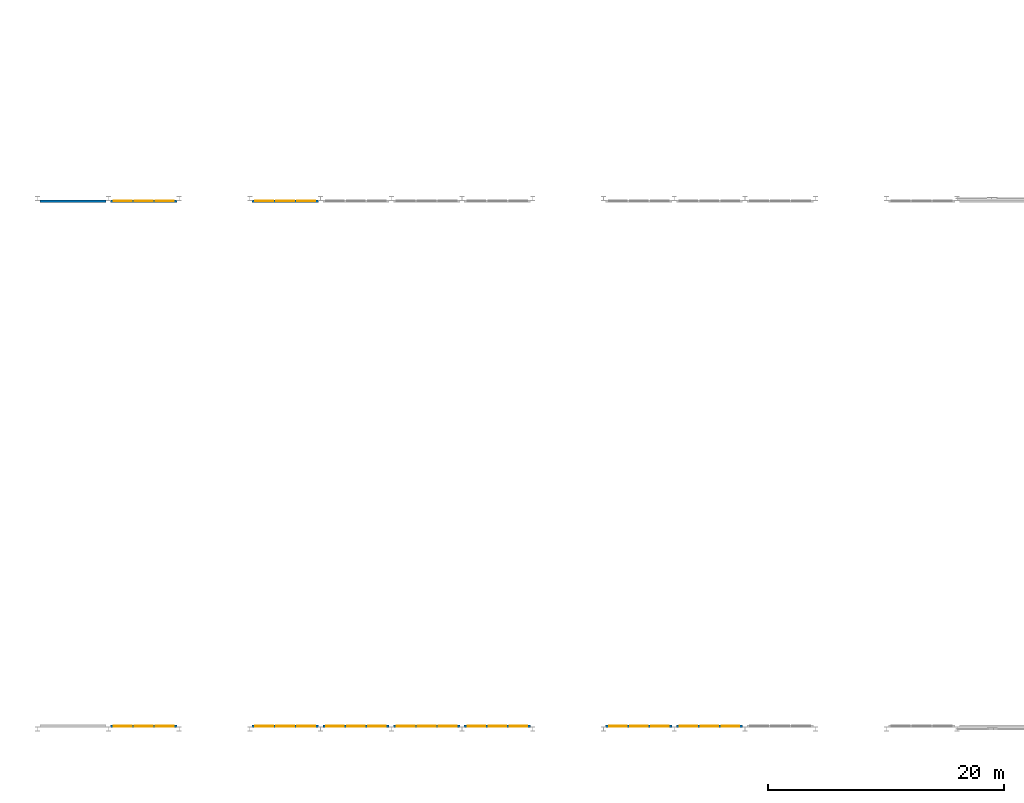
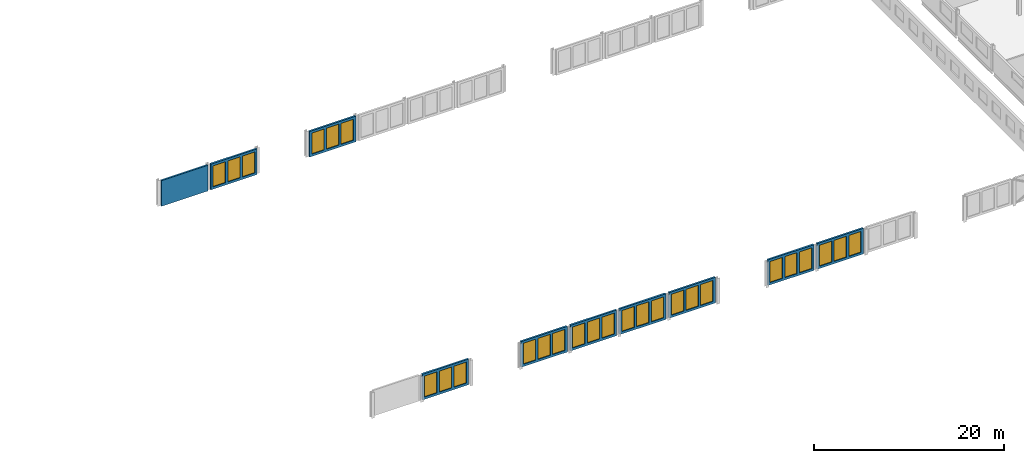
# One storey, part 50 of 199: 27 windows, 10 walls, 27 openings.
"""IFC4 building model written with IfcOpenShell, lengths in metres."""

from ifc_helpers import new_model, si_unit, direction, frame, frame_2d, origin, place, context, subcontext, project, spatial, rectangle, extrude, material, layer, layer_set, type_object, element, fill, save


model = new_model("IFC4")

# Units and contexts
model_context = context("Model", 3, precision=1e-05, world=origin(), true_north=direction((0.0, 1.0)))
body_context = subcontext(model_context, "Body", "Model", "MODEL_VIEW")
ifc_project = project(units=[si_unit("LENGTHUNIT", "METRE"), si_unit("AREAUNIT", "SQUARE_METRE"), si_unit("VOLUMEUNIT", "CUBIC_METRE"), si_unit("PLANEANGLEUNIT", "RADIAN"), si_unit("MASSUNIT", "GRAM", prefix="KILO")], contexts=[model_context])

# Site, building, storey
site_placement = place(None, origin())
site = spatial("IfcSite", under=ifc_project, at=site_placement, CompositionType="ELEMENT")
building_placement = place(site_placement, origin())
building = spatial("IfcBuilding", under=site, at=building_placement, Name="Parallax Yard Mobility Hub", CompositionType="ELEMENT")
storey_placement = place(building_placement, frame((0.0, 0.0, 9.89990234375)))
storey = spatial("IfcBuildingStorey", under=building, at=storey_placement, Name="L03", CompositionType="ELEMENT", Elevation=9.89990234375)

# Wall, openings, windows
ifc_material_1 = material(Name="Concrete fc' 35 MPa", Category="concrete")
ifc_layer = layer(ifc_material_1, 0.219970703125)
ifc_layer_set = layer_set([ifc_layer], Name="Gable panel, Concrete fc' 35 MPa precast, 220")
wall_type = type_object("IfcWallType", Name="Gable panel, Concrete fc' 35 MPa precast, 220", PredefinedType="SOLIDWALL", material=ifc_layer_set)
wall_1_placement = place(storey_placement, frame((15.1865234375, 7.72412109375, 0.0), z_axis=(0.0, 0.0, 1.0), x_axis=(1.0, 0.0, 0.0)))
wall_1 = element("IfcWall", 1, at=wall_1_placement, inside=storey, type_object=wall_type, Name="Bus and taxi deck south gable wall bay 2 level L03", PredefinedType="SOLIDWALL", context=body_context, shape_type="SweptSolid", body=[
    extrude(rectangle(XDim=5.626953125, YDim=0.219970703125, at=frame_2d((2.8134765625, 0.0))), origin(), (0.0, 0.0, 1.0), 3.300048828125),
])
opening_1_placement = place(wall_1_placement, frame((0.28173828125, 0.0, 0.300048828125)))
opening_1 = element("IfcOpeningElement", 2, at=opening_1_placement, cuts=wall_1, Name="Opening LV8", PredefinedType="OPENING", context=body_context, shape_type="SweptSolid", body=[
    extrude(rectangle(XDim=1.5, YDim=2.699951171875, at=frame_2d((0.75, 1.35009765625))), frame((0.0, 0.1201171875, 0.0), z_axis=(0.0, -1.0, 0.0), x_axis=(1.0, 0.0, 0.0)), (0.0, 0.0, 1.0), 0.239990234375),
])
opening_2_placement = place(wall_1_placement, frame((2.0634765625, 0.0, 0.300048828125)))
opening_2 = element("IfcOpeningElement", 3, at=opening_2_placement, cuts=wall_1, Name="Opening LV8", PredefinedType="OPENING", context=body_context, shape_type="SweptSolid", body=[
    extrude(rectangle(XDim=1.5, YDim=2.699951171875, at=frame_2d((0.75, 1.35009765625))), frame((0.0, 0.1201171875, 0.0), z_axis=(0.0, -1.0, 0.0), x_axis=(1.0, 0.0, 0.0)), (0.0, 0.0, 1.0), 0.239990234375),
])
opening_3_placement = place(wall_1_placement, frame((3.84521484375, 0.0, 0.300048828125)))
opening_3 = element("IfcOpeningElement", 4, at=opening_3_placement, cuts=wall_1, Name="Opening LV8", PredefinedType="OPENING", context=body_context, shape_type="SweptSolid", body=[
    extrude(rectangle(XDim=1.5, YDim=2.699951171875, at=frame_2d((0.75, 1.35009765625))), frame((0.0, 0.1201171875, 0.0), z_axis=(0.0, -1.0, 0.0), x_axis=(1.0, 0.0, 0.0)), (0.0, 0.0, 1.0), 0.239990234375),
])
ifc_material_2 = material(Name="Extruded aluminium storm louvre blades in a powder-coated frame", Category="aluminium")
window_type = type_object("IfcWindowType", Name="Storm louvre 1500 x 2700", PartitioningType="SINGLE_PANEL", PredefinedType="WINDOW", material=ifc_material_2)
window_1_placement = place(opening_1_placement, origin())
window_1 = element("IfcWindow", 5, at=window_1_placement, inside=storey, type_object=window_type, Name="LV8 louvre level L03", OverallHeight=2.699951171875, OverallWidth=1.5, PartitioningType="SINGLE_PANEL", PredefinedType="WINDOW", context=body_context, shape_type="SweptSolid", body=[
    extrude(rectangle(XDim=1.5, YDim=2.699951171875, at=frame_2d((0.75, 1.35009765625))), frame((0.0, 0.030029296875, 0.0), z_axis=(0.0, -1.0, 0.0), x_axis=(1.0, 0.0, 0.0)), (0.0, 0.0, 1.0), 0.06005859375),
])
fill(opening_1, window_1)
window_2_placement = place(opening_2_placement, origin())
window_2 = element("IfcWindow", 6, at=window_2_placement, inside=storey, type_object=window_type, Name="LV8 louvre level L03", OverallHeight=2.699951171875, OverallWidth=1.5, PartitioningType="SINGLE_PANEL", PredefinedType="WINDOW", context=body_context, shape_type="SweptSolid", body=[
    extrude(rectangle(XDim=1.5, YDim=2.699951171875, at=frame_2d((0.75, 1.35009765625))), frame((0.0, 0.030029296875, 0.0), z_axis=(0.0, -1.0, 0.0), x_axis=(1.0, 0.0, 0.0)), (0.0, 0.0, 1.0), 0.06005859375),
])
fill(opening_2, window_2)
window_3_placement = place(opening_3_placement, origin())
window_3 = element("IfcWindow", 7, at=window_3_placement, inside=storey, type_object=window_type, Name="LV8 louvre level L03", OverallHeight=2.699951171875, OverallWidth=1.5, PartitioningType="SINGLE_PANEL", PredefinedType="WINDOW", context=body_context, shape_type="SweptSolid", body=[
    extrude(rectangle(XDim=1.5, YDim=2.699951171875, at=frame_2d((0.75, 1.35009765625))), frame((0.0, 0.030029296875, 0.0), z_axis=(0.0, -1.0, 0.0), x_axis=(1.0, 0.0, 0.0)), (0.0, 0.0, 1.0), 0.06005859375),
])
fill(opening_3, window_3)

wall_2_placement = place(storey_placement, frame((27.1865234375, 7.72412109375, 0.0), z_axis=(0.0, 0.0, 1.0), x_axis=(1.0, 0.0, 0.0)))
wall_2 = element("IfcWall", 8, at=wall_2_placement, inside=storey, type_object=wall_type, Name="Bus and taxi deck south gable wall bay 3 level L03", PredefinedType="SOLIDWALL", context=body_context, shape_type="SweptSolid", body=[
    extrude(rectangle(XDim=5.626953125, YDim=0.219970703125, at=frame_2d((2.8134765625, 0.0))), origin(), (0.0, 0.0, 1.0), 3.300048828125),
])
opening_4_placement = place(wall_2_placement, frame((0.28173828125, 0.0, 0.300048828125)))
opening_4 = element("IfcOpeningElement", 9, at=opening_4_placement, cuts=wall_2, Name="Opening LV8", PredefinedType="OPENING", context=body_context, shape_type="SweptSolid", body=[
    extrude(rectangle(XDim=1.5, YDim=2.699951171875, at=frame_2d((0.75, 1.35009765625))), frame((0.0, 0.1201171875, 0.0), z_axis=(0.0, -1.0, 0.0), x_axis=(1.0, 0.0, 0.0)), (0.0, 0.0, 1.0), 0.239990234375),
])
opening_5_placement = place(wall_2_placement, frame((2.0634765625, 0.0, 0.300048828125)))
opening_5 = element("IfcOpeningElement", 10, at=opening_5_placement, cuts=wall_2, Name="Opening LV8", PredefinedType="OPENING", context=body_context, shape_type="SweptSolid", body=[
    extrude(rectangle(XDim=1.5, YDim=2.699951171875, at=frame_2d((0.75, 1.35009765625))), frame((0.0, 0.1201171875, 0.0), z_axis=(0.0, -1.0, 0.0), x_axis=(1.0, 0.0, 0.0)), (0.0, 0.0, 1.0), 0.239990234375),
])
opening_6_placement = place(wall_2_placement, frame((3.84521484375, 0.0, 0.300048828125)))
opening_6 = element("IfcOpeningElement", 11, at=opening_6_placement, cuts=wall_2, Name="Opening LV8", PredefinedType="OPENING", context=body_context, shape_type="SweptSolid", body=[
    extrude(rectangle(XDim=1.5, YDim=2.699951171875, at=frame_2d((0.75, 1.35009765625))), frame((0.0, 0.1201171875, 0.0), z_axis=(0.0, -1.0, 0.0), x_axis=(1.0, 0.0, 0.0)), (0.0, 0.0, 1.0), 0.239990234375),
])
window_4_placement = place(opening_4_placement, origin())
window_4 = element("IfcWindow", 12, at=window_4_placement, inside=storey, type_object=window_type, Name="LV8 louvre level L03", OverallHeight=2.699951171875, OverallWidth=1.5, PartitioningType="SINGLE_PANEL", PredefinedType="WINDOW", context=body_context, shape_type="SweptSolid", body=[
    extrude(rectangle(XDim=1.5, YDim=2.699951171875, at=frame_2d((0.75, 1.35009765625))), frame((0.0, 0.030029296875, 0.0), z_axis=(0.0, -1.0, 0.0), x_axis=(1.0, 0.0, 0.0)), (0.0, 0.0, 1.0), 0.06005859375),
])
fill(opening_4, window_4)
window_5_placement = place(opening_5_placement, origin())
window_5 = element("IfcWindow", 13, at=window_5_placement, inside=storey, type_object=window_type, Name="LV8 louvre level L03", OverallHeight=2.699951171875, OverallWidth=1.5, PartitioningType="SINGLE_PANEL", PredefinedType="WINDOW", context=body_context, shape_type="SweptSolid", body=[
    extrude(rectangle(XDim=1.5, YDim=2.699951171875, at=frame_2d((0.75, 1.35009765625))), frame((0.0, 0.030029296875, 0.0), z_axis=(0.0, -1.0, 0.0), x_axis=(1.0, 0.0, 0.0)), (0.0, 0.0, 1.0), 0.06005859375),
])
fill(opening_5, window_5)
window_6_placement = place(opening_6_placement, origin())
window_6 = element("IfcWindow", 14, at=window_6_placement, inside=storey, type_object=window_type, Name="LV8 louvre level L03", OverallHeight=2.699951171875, OverallWidth=1.5, PartitioningType="SINGLE_PANEL", PredefinedType="WINDOW", context=body_context, shape_type="SweptSolid", body=[
    extrude(rectangle(XDim=1.5, YDim=2.699951171875, at=frame_2d((0.75, 1.35009765625))), frame((0.0, 0.030029296875, 0.0), z_axis=(0.0, -1.0, 0.0), x_axis=(1.0, 0.0, 0.0)), (0.0, 0.0, 1.0), 0.06005859375),
])
fill(opening_6, window_6)

wall_3_placement = place(storey_placement, frame((33.1865234375, 7.72412109375, 0.0), z_axis=(0.0, 0.0, 1.0), x_axis=(1.0, 0.0, 0.0)))
wall_3 = element("IfcWall", 15, at=wall_3_placement, inside=storey, type_object=wall_type, Name="Bus and taxi deck south gable wall bay 4 level L03", PredefinedType="SOLIDWALL", context=body_context, shape_type="SweptSolid", body=[
    extrude(rectangle(XDim=5.626953125, YDim=0.219970703125, at=frame_2d((2.8134765625, 0.0))), origin(), (0.0, 0.0, 1.0), 3.300048828125),
])
opening_7_placement = place(wall_3_placement, frame((0.28173828125, 0.0, 0.300048828125)))
opening_7 = element("IfcOpeningElement", 16, at=opening_7_placement, cuts=wall_3, Name="Opening LV8", PredefinedType="OPENING", context=body_context, shape_type="SweptSolid", body=[
    extrude(rectangle(XDim=1.5, YDim=2.699951171875, at=frame_2d((0.75, 1.35009765625))), frame((0.0, 0.1201171875, 0.0), z_axis=(0.0, -1.0, 0.0), x_axis=(1.0, 0.0, 0.0)), (0.0, 0.0, 1.0), 0.239990234375),
])
opening_8_placement = place(wall_3_placement, frame((2.0634765625, 0.0, 0.300048828125)))
opening_8 = element("IfcOpeningElement", 17, at=opening_8_placement, cuts=wall_3, Name="Opening LV8", PredefinedType="OPENING", context=body_context, shape_type="SweptSolid", body=[
    extrude(rectangle(XDim=1.5, YDim=2.699951171875, at=frame_2d((0.75, 1.35009765625))), frame((0.0, 0.1201171875, 0.0), z_axis=(0.0, -1.0, 0.0), x_axis=(1.0, 0.0, 0.0)), (0.0, 0.0, 1.0), 0.239990234375),
])
opening_9_placement = place(wall_3_placement, frame((3.84521484375, 0.0, 0.300048828125)))
opening_9 = element("IfcOpeningElement", 18, at=opening_9_placement, cuts=wall_3, Name="Opening LV8", PredefinedType="OPENING", context=body_context, shape_type="SweptSolid", body=[
    extrude(rectangle(XDim=1.5, YDim=2.699951171875, at=frame_2d((0.75, 1.35009765625))), frame((0.0, 0.1201171875, 0.0), z_axis=(0.0, -1.0, 0.0), x_axis=(1.0, 0.0, 0.0)), (0.0, 0.0, 1.0), 0.239990234375),
])
window_7_placement = place(opening_7_placement, origin())
window_7 = element("IfcWindow", 19, at=window_7_placement, inside=storey, type_object=window_type, Name="LV8 louvre level L03", OverallHeight=2.699951171875, OverallWidth=1.5, PartitioningType="SINGLE_PANEL", PredefinedType="WINDOW", context=body_context, shape_type="SweptSolid", body=[
    extrude(rectangle(XDim=1.5, YDim=2.699951171875, at=frame_2d((0.75, 1.35009765625))), frame((0.0, 0.030029296875, 0.0), z_axis=(0.0, -1.0, 0.0), x_axis=(1.0, 0.0, 0.0)), (0.0, 0.0, 1.0), 0.06005859375),
])
fill(opening_7, window_7)
window_8_placement = place(opening_8_placement, origin())
window_8 = element("IfcWindow", 20, at=window_8_placement, inside=storey, type_object=window_type, Name="LV8 louvre level L03", OverallHeight=2.699951171875, OverallWidth=1.5, PartitioningType="SINGLE_PANEL", PredefinedType="WINDOW", context=body_context, shape_type="SweptSolid", body=[
    extrude(rectangle(XDim=1.5, YDim=2.699951171875, at=frame_2d((0.75, 1.35009765625))), frame((0.0, 0.030029296875, 0.0), z_axis=(0.0, -1.0, 0.0), x_axis=(1.0, 0.0, 0.0)), (0.0, 0.0, 1.0), 0.06005859375),
])
fill(opening_8, window_8)
window_9_placement = place(opening_9_placement, origin())
window_9 = element("IfcWindow", 21, at=window_9_placement, inside=storey, type_object=window_type, Name="LV8 louvre level L03", OverallHeight=2.699951171875, OverallWidth=1.5, PartitioningType="SINGLE_PANEL", PredefinedType="WINDOW", context=body_context, shape_type="SweptSolid", body=[
    extrude(rectangle(XDim=1.5, YDim=2.699951171875, at=frame_2d((0.75, 1.35009765625))), frame((0.0, 0.030029296875, 0.0), z_axis=(0.0, -1.0, 0.0), x_axis=(1.0, 0.0, 0.0)), (0.0, 0.0, 1.0), 0.06005859375),
])
fill(opening_9, window_9)

wall_4_placement = place(storey_placement, frame((39.1865234375, 7.72412109375, 0.0), z_axis=(0.0, 0.0, 1.0), x_axis=(1.0, 0.0, 0.0)))
wall_4 = element("IfcWall", 22, at=wall_4_placement, inside=storey, type_object=wall_type, Name="Bus and taxi deck south gable wall bay 5 level L03", PredefinedType="SOLIDWALL", context=body_context, shape_type="SweptSolid", body=[
    extrude(rectangle(XDim=5.626953125, YDim=0.219970703125, at=frame_2d((2.8134765625, 0.0))), origin(), (0.0, 0.0, 1.0), 3.300048828125),
])
opening_10_placement = place(wall_4_placement, frame((0.28173828125, 0.0, 0.300048828125)))
opening_10 = element("IfcOpeningElement", 23, at=opening_10_placement, cuts=wall_4, Name="Opening LV8", PredefinedType="OPENING", context=body_context, shape_type="SweptSolid", body=[
    extrude(rectangle(XDim=1.5, YDim=2.699951171875, at=frame_2d((0.75, 1.35009765625))), frame((0.0, 0.1201171875, 0.0), z_axis=(0.0, -1.0, 0.0), x_axis=(1.0, 0.0, 0.0)), (0.0, 0.0, 1.0), 0.239990234375),
])
opening_11_placement = place(wall_4_placement, frame((2.0634765625, 0.0, 0.300048828125)))
opening_11 = element("IfcOpeningElement", 24, at=opening_11_placement, cuts=wall_4, Name="Opening LV8", PredefinedType="OPENING", context=body_context, shape_type="SweptSolid", body=[
    extrude(rectangle(XDim=1.5, YDim=2.699951171875, at=frame_2d((0.75, 1.35009765625))), frame((0.0, 0.1201171875, 0.0), z_axis=(0.0, -1.0, 0.0), x_axis=(1.0, 0.0, 0.0)), (0.0, 0.0, 1.0), 0.239990234375),
])
opening_12_placement = place(wall_4_placement, frame((3.84521484375, 0.0, 0.300048828125)))
opening_12 = element("IfcOpeningElement", 25, at=opening_12_placement, cuts=wall_4, Name="Opening LV8", PredefinedType="OPENING", context=body_context, shape_type="SweptSolid", body=[
    extrude(rectangle(XDim=1.5, YDim=2.699951171875, at=frame_2d((0.75, 1.35009765625))), frame((0.0, 0.1201171875, 0.0), z_axis=(0.0, -1.0, 0.0), x_axis=(1.0, 0.0, 0.0)), (0.0, 0.0, 1.0), 0.239990234375),
])
window_10_placement = place(opening_10_placement, origin())
window_10 = element("IfcWindow", 26, at=window_10_placement, inside=storey, type_object=window_type, Name="LV8 louvre level L03", OverallHeight=2.699951171875, OverallWidth=1.5, PartitioningType="SINGLE_PANEL", PredefinedType="WINDOW", context=body_context, shape_type="SweptSolid", body=[
    extrude(rectangle(XDim=1.5, YDim=2.699951171875, at=frame_2d((0.75, 1.35009765625))), frame((0.0, 0.030029296875, 0.0), z_axis=(0.0, -1.0, 0.0), x_axis=(1.0, 0.0, 0.0)), (0.0, 0.0, 1.0), 0.06005859375),
])
fill(opening_10, window_10)
window_11_placement = place(opening_11_placement, origin())
window_11 = element("IfcWindow", 27, at=window_11_placement, inside=storey, type_object=window_type, Name="LV8 louvre level L03", OverallHeight=2.699951171875, OverallWidth=1.5, PartitioningType="SINGLE_PANEL", PredefinedType="WINDOW", context=body_context, shape_type="SweptSolid", body=[
    extrude(rectangle(XDim=1.5, YDim=2.699951171875, at=frame_2d((0.75, 1.35009765625))), frame((0.0, 0.030029296875, 0.0), z_axis=(0.0, -1.0, 0.0), x_axis=(1.0, 0.0, 0.0)), (0.0, 0.0, 1.0), 0.06005859375),
])
fill(opening_11, window_11)
window_12_placement = place(opening_12_placement, origin())
window_12 = element("IfcWindow", 28, at=window_12_placement, inside=storey, type_object=window_type, Name="LV8 louvre level L03", OverallHeight=2.699951171875, OverallWidth=1.5, PartitioningType="SINGLE_PANEL", PredefinedType="WINDOW", context=body_context, shape_type="SweptSolid", body=[
    extrude(rectangle(XDim=1.5, YDim=2.699951171875, at=frame_2d((0.75, 1.35009765625))), frame((0.0, 0.030029296875, 0.0), z_axis=(0.0, -1.0, 0.0), x_axis=(1.0, 0.0, 0.0)), (0.0, 0.0, 1.0), 0.06005859375),
])
fill(opening_12, window_12)

wall_5_placement = place(storey_placement, frame((45.1865234375, 7.72412109375, 0.0), z_axis=(0.0, 0.0, 1.0), x_axis=(1.0, 0.0, 0.0)))
wall_5 = element("IfcWall", 29, at=wall_5_placement, inside=storey, type_object=wall_type, Name="Bus and taxi deck south gable wall bay 6 level L03", PredefinedType="SOLIDWALL", context=body_context, shape_type="SweptSolid", body=[
    extrude(rectangle(XDim=5.626953125, YDim=0.219970703125, at=frame_2d((2.8134765625, 0.0))), origin(), (0.0, 0.0, 1.0), 3.300048828125),
])
opening_13_placement = place(wall_5_placement, frame((0.28173828125, 0.0, 0.300048828125)))
opening_13 = element("IfcOpeningElement", 30, at=opening_13_placement, cuts=wall_5, Name="Opening LV8", PredefinedType="OPENING", context=body_context, shape_type="SweptSolid", body=[
    extrude(rectangle(XDim=1.5, YDim=2.699951171875, at=frame_2d((0.75, 1.35009765625))), frame((0.0, 0.1201171875, 0.0), z_axis=(0.0, -1.0, 0.0), x_axis=(1.0, 0.0, 0.0)), (0.0, 0.0, 1.0), 0.239990234375),
])
opening_14_placement = place(wall_5_placement, frame((2.0634765625, 0.0, 0.300048828125)))
opening_14 = element("IfcOpeningElement", 31, at=opening_14_placement, cuts=wall_5, Name="Opening LV8", PredefinedType="OPENING", context=body_context, shape_type="SweptSolid", body=[
    extrude(rectangle(XDim=1.5, YDim=2.699951171875, at=frame_2d((0.75, 1.35009765625))), frame((0.0, 0.1201171875, 0.0), z_axis=(0.0, -1.0, 0.0), x_axis=(1.0, 0.0, 0.0)), (0.0, 0.0, 1.0), 0.239990234375),
])
opening_15_placement = place(wall_5_placement, frame((3.84521484375, 0.0, 0.300048828125)))
opening_15 = element("IfcOpeningElement", 32, at=opening_15_placement, cuts=wall_5, Name="Opening LV8", PredefinedType="OPENING", context=body_context, shape_type="SweptSolid", body=[
    extrude(rectangle(XDim=1.5, YDim=2.699951171875, at=frame_2d((0.75, 1.35009765625))), frame((0.0, 0.1201171875, 0.0), z_axis=(0.0, -1.0, 0.0), x_axis=(1.0, 0.0, 0.0)), (0.0, 0.0, 1.0), 0.239990234375),
])
window_13_placement = place(opening_13_placement, origin())
window_13 = element("IfcWindow", 33, at=window_13_placement, inside=storey, type_object=window_type, Name="LV8 louvre level L03", OverallHeight=2.699951171875, OverallWidth=1.5, PartitioningType="SINGLE_PANEL", PredefinedType="WINDOW", context=body_context, shape_type="SweptSolid", body=[
    extrude(rectangle(XDim=1.5, YDim=2.699951171875, at=frame_2d((0.75, 1.35009765625))), frame((0.0, 0.030029296875, 0.0), z_axis=(0.0, -1.0, 0.0), x_axis=(1.0, 0.0, 0.0)), (0.0, 0.0, 1.0), 0.06005859375),
])
fill(opening_13, window_13)
window_14_placement = place(opening_14_placement, origin())
window_14 = element("IfcWindow", 34, at=window_14_placement, inside=storey, type_object=window_type, Name="LV8 louvre level L03", OverallHeight=2.699951171875, OverallWidth=1.5, PartitioningType="SINGLE_PANEL", PredefinedType="WINDOW", context=body_context, shape_type="SweptSolid", body=[
    extrude(rectangle(XDim=1.5, YDim=2.699951171875, at=frame_2d((0.75, 1.35009765625))), frame((0.0, 0.030029296875, 0.0), z_axis=(0.0, -1.0, 0.0), x_axis=(1.0, 0.0, 0.0)), (0.0, 0.0, 1.0), 0.06005859375),
])
fill(opening_14, window_14)
window_15_placement = place(opening_15_placement, origin())
window_15 = element("IfcWindow", 35, at=window_15_placement, inside=storey, type_object=window_type, Name="LV8 louvre level L03", OverallHeight=2.699951171875, OverallWidth=1.5, PartitioningType="SINGLE_PANEL", PredefinedType="WINDOW", context=body_context, shape_type="SweptSolid", body=[
    extrude(rectangle(XDim=1.5, YDim=2.699951171875, at=frame_2d((0.75, 1.35009765625))), frame((0.0, 0.030029296875, 0.0), z_axis=(0.0, -1.0, 0.0), x_axis=(1.0, 0.0, 0.0)), (0.0, 0.0, 1.0), 0.06005859375),
])
fill(opening_15, window_15)

wall_6_placement = place(storey_placement, frame((57.1865234375, 7.72412109375, 0.0), z_axis=(0.0, 0.0, 1.0), x_axis=(1.0, 0.0, 0.0)))
wall_6 = element("IfcWall", 36, at=wall_6_placement, inside=storey, type_object=wall_type, Name="Bus and taxi deck south gable wall bay 7 level L03", PredefinedType="SOLIDWALL", context=body_context, shape_type="SweptSolid", body=[
    extrude(rectangle(XDim=5.626953125, YDim=0.219970703125, at=frame_2d((2.8134765625, 0.0))), origin(), (0.0, 0.0, 1.0), 3.300048828125),
])
opening_16_placement = place(wall_6_placement, frame((0.28173828125, 0.0, 0.300048828125)))
opening_16 = element("IfcOpeningElement", 37, at=opening_16_placement, cuts=wall_6, Name="Opening LV8", PredefinedType="OPENING", context=body_context, shape_type="SweptSolid", body=[
    extrude(rectangle(XDim=1.5, YDim=2.699951171875, at=frame_2d((0.75, 1.35009765625))), frame((0.0, 0.1201171875, 0.0), z_axis=(0.0, -1.0, 0.0), x_axis=(1.0, 0.0, 0.0)), (0.0, 0.0, 1.0), 0.239990234375),
])
opening_17_placement = place(wall_6_placement, frame((2.0634765625, 0.0, 0.300048828125)))
opening_17 = element("IfcOpeningElement", 38, at=opening_17_placement, cuts=wall_6, Name="Opening LV8", PredefinedType="OPENING", context=body_context, shape_type="SweptSolid", body=[
    extrude(rectangle(XDim=1.5, YDim=2.699951171875, at=frame_2d((0.75, 1.35009765625))), frame((0.0, 0.1201171875, 0.0), z_axis=(0.0, -1.0, 0.0), x_axis=(1.0, 0.0, 0.0)), (0.0, 0.0, 1.0), 0.239990234375),
])
opening_18_placement = place(wall_6_placement, frame((3.84521484375, 0.0, 0.300048828125)))
opening_18 = element("IfcOpeningElement", 39, at=opening_18_placement, cuts=wall_6, Name="Opening LV8", PredefinedType="OPENING", context=body_context, shape_type="SweptSolid", body=[
    extrude(rectangle(XDim=1.5, YDim=2.699951171875, at=frame_2d((0.75, 1.35009765625))), frame((0.0, 0.1201171875, 0.0), z_axis=(0.0, -1.0, 0.0), x_axis=(1.0, 0.0, 0.0)), (0.0, 0.0, 1.0), 0.239990234375),
])
window_16_placement = place(opening_16_placement, origin())
window_16 = element("IfcWindow", 40, at=window_16_placement, inside=storey, type_object=window_type, Name="LV8 louvre level L03", OverallHeight=2.699951171875, OverallWidth=1.5, PartitioningType="SINGLE_PANEL", PredefinedType="WINDOW", context=body_context, shape_type="SweptSolid", body=[
    extrude(rectangle(XDim=1.5, YDim=2.699951171875, at=frame_2d((0.75, 1.35009765625))), frame((0.0, 0.030029296875, 0.0), z_axis=(0.0, -1.0, 0.0), x_axis=(1.0, 0.0, 0.0)), (0.0, 0.0, 1.0), 0.06005859375),
])
fill(opening_16, window_16)
window_17_placement = place(opening_17_placement, origin())
window_17 = element("IfcWindow", 41, at=window_17_placement, inside=storey, type_object=window_type, Name="LV8 louvre level L03", OverallHeight=2.699951171875, OverallWidth=1.5, PartitioningType="SINGLE_PANEL", PredefinedType="WINDOW", context=body_context, shape_type="SweptSolid", body=[
    extrude(rectangle(XDim=1.5, YDim=2.699951171875, at=frame_2d((0.75, 1.35009765625))), frame((0.0, 0.030029296875, 0.0), z_axis=(0.0, -1.0, 0.0), x_axis=(1.0, 0.0, 0.0)), (0.0, 0.0, 1.0), 0.06005859375),
])
fill(opening_17, window_17)
window_18_placement = place(opening_18_placement, origin())
window_18 = element("IfcWindow", 42, at=window_18_placement, inside=storey, type_object=window_type, Name="LV8 louvre level L03", OverallHeight=2.699951171875, OverallWidth=1.5, PartitioningType="SINGLE_PANEL", PredefinedType="WINDOW", context=body_context, shape_type="SweptSolid", body=[
    extrude(rectangle(XDim=1.5, YDim=2.699951171875, at=frame_2d((0.75, 1.35009765625))), frame((0.0, 0.030029296875, 0.0), z_axis=(0.0, -1.0, 0.0), x_axis=(1.0, 0.0, 0.0)), (0.0, 0.0, 1.0), 0.06005859375),
])
fill(opening_18, window_18)

wall_7_placement = place(storey_placement, frame((63.1865234375, 7.72412109375, 0.0), z_axis=(0.0, 0.0, 1.0), x_axis=(1.0, 0.0, 0.0)))
wall_7 = element("IfcWall", 43, at=wall_7_placement, inside=storey, type_object=wall_type, Name="Bus and taxi deck south gable wall bay 8 level L03", PredefinedType="SOLIDWALL", context=body_context, shape_type="SweptSolid", body=[
    extrude(rectangle(XDim=5.626953125, YDim=0.219970703125, at=frame_2d((2.8134765625, 0.0))), origin(), (0.0, 0.0, 1.0), 3.300048828125),
])
opening_19_placement = place(wall_7_placement, frame((0.28173828125, 0.0, 0.300048828125)))
opening_19 = element("IfcOpeningElement", 44, at=opening_19_placement, cuts=wall_7, Name="Opening LV8", PredefinedType="OPENING", context=body_context, shape_type="SweptSolid", body=[
    extrude(rectangle(XDim=1.5, YDim=2.699951171875, at=frame_2d((0.75, 1.35009765625))), frame((0.0, 0.1201171875, 0.0), z_axis=(0.0, -1.0, 0.0), x_axis=(1.0, 0.0, 0.0)), (0.0, 0.0, 1.0), 0.239990234375),
])
opening_20_placement = place(wall_7_placement, frame((2.0634765625, 0.0, 0.300048828125)))
opening_20 = element("IfcOpeningElement", 45, at=opening_20_placement, cuts=wall_7, Name="Opening LV8", PredefinedType="OPENING", context=body_context, shape_type="SweptSolid", body=[
    extrude(rectangle(XDim=1.5, YDim=2.699951171875, at=frame_2d((0.75, 1.35009765625))), frame((0.0, 0.1201171875, 0.0), z_axis=(0.0, -1.0, 0.0), x_axis=(1.0, 0.0, 0.0)), (0.0, 0.0, 1.0), 0.239990234375),
])
opening_21_placement = place(wall_7_placement, frame((3.84521484375, 0.0, 0.300048828125)))
opening_21 = element("IfcOpeningElement", 46, at=opening_21_placement, cuts=wall_7, Name="Opening LV8", PredefinedType="OPENING", context=body_context, shape_type="SweptSolid", body=[
    extrude(rectangle(XDim=1.5, YDim=2.699951171875, at=frame_2d((0.75, 1.35009765625))), frame((0.0, 0.1201171875, 0.0), z_axis=(0.0, -1.0, 0.0), x_axis=(1.0, 0.0, 0.0)), (0.0, 0.0, 1.0), 0.239990234375),
])
window_19_placement = place(opening_19_placement, origin())
window_19 = element("IfcWindow", 47, at=window_19_placement, inside=storey, type_object=window_type, Name="LV8 louvre level L03", OverallHeight=2.699951171875, OverallWidth=1.5, PartitioningType="SINGLE_PANEL", PredefinedType="WINDOW", context=body_context, shape_type="SweptSolid", body=[
    extrude(rectangle(XDim=1.5, YDim=2.699951171875, at=frame_2d((0.75, 1.35009765625))), frame((0.0, 0.030029296875, 0.0), z_axis=(0.0, -1.0, 0.0), x_axis=(1.0, 0.0, 0.0)), (0.0, 0.0, 1.0), 0.06005859375),
])
fill(opening_19, window_19)
window_20_placement = place(opening_20_placement, origin())
window_20 = element("IfcWindow", 48, at=window_20_placement, inside=storey, type_object=window_type, Name="LV8 louvre level L03", OverallHeight=2.699951171875, OverallWidth=1.5, PartitioningType="SINGLE_PANEL", PredefinedType="WINDOW", context=body_context, shape_type="SweptSolid", body=[
    extrude(rectangle(XDim=1.5, YDim=2.699951171875, at=frame_2d((0.75, 1.35009765625))), frame((0.0, 0.030029296875, 0.0), z_axis=(0.0, -1.0, 0.0), x_axis=(1.0, 0.0, 0.0)), (0.0, 0.0, 1.0), 0.06005859375),
])
fill(opening_20, window_20)
window_21_placement = place(opening_21_placement, origin())
window_21 = element("IfcWindow", 49, at=window_21_placement, inside=storey, type_object=window_type, Name="LV8 louvre level L03", OverallHeight=2.699951171875, OverallWidth=1.5, PartitioningType="SINGLE_PANEL", PredefinedType="WINDOW", context=body_context, shape_type="SweptSolid", body=[
    extrude(rectangle(XDim=1.5, YDim=2.699951171875, at=frame_2d((0.75, 1.35009765625))), frame((0.0, 0.030029296875, 0.0), z_axis=(0.0, -1.0, 0.0), x_axis=(1.0, 0.0, 0.0)), (0.0, 0.0, 1.0), 0.06005859375),
])
fill(opening_21, window_21)

# Wall
wall_8_placement = place(storey_placement, frame((9.1865234375, 52.25048828125, 0.0), z_axis=(0.0, 0.0, 1.0), x_axis=(1.0, 0.0, 0.0)))
element("IfcWall", 50, at=wall_8_placement, inside=storey, type_object=wall_type, Name="Bus and taxi deck north gable wall bay 1 level L03", PredefinedType="SOLIDWALL", context=body_context, shape_type="SweptSolid", body=[
    extrude(rectangle(XDim=5.626953125, YDim=0.219970703125, at=frame_2d((2.8134765625, 0.0))), origin(), (0.0, 0.0, 1.0), 3.300048828125),
])

# Wall, openings, windows
wall_9_placement = place(storey_placement, frame((15.1865234375, 52.27587890625, 0.0), z_axis=(0.0, 0.0, 1.0), x_axis=(1.0, 0.0, 0.0)))
wall_9 = element("IfcWall", 51, at=wall_9_placement, inside=storey, type_object=wall_type, Name="Bus and taxi deck north gable wall bay 2 level L03", PredefinedType="SOLIDWALL", context=body_context, shape_type="SweptSolid", body=[
    extrude(rectangle(XDim=5.626953125, YDim=0.219970703125, at=frame_2d((2.8134765625, 0.0))), origin(), (0.0, 0.0, 1.0), 3.300048828125),
])
opening_22_placement = place(wall_9_placement, frame((0.28173828125, 0.0, 0.300048828125)))
opening_22 = element("IfcOpeningElement", 52, at=opening_22_placement, cuts=wall_9, Name="Opening LV8", PredefinedType="OPENING", context=body_context, shape_type="SweptSolid", body=[
    extrude(rectangle(XDim=1.5, YDim=2.699951171875, at=frame_2d((0.75, 1.35009765625))), frame((0.0, 0.1201171875, 0.0), z_axis=(0.0, -1.0, 0.0), x_axis=(1.0, 0.0, 0.0)), (0.0, 0.0, 1.0), 0.239990234375),
])
opening_23_placement = place(wall_9_placement, frame((2.0634765625, 0.0, 0.300048828125)))
opening_23 = element("IfcOpeningElement", 53, at=opening_23_placement, cuts=wall_9, Name="Opening LV8", PredefinedType="OPENING", context=body_context, shape_type="SweptSolid", body=[
    extrude(rectangle(XDim=1.5, YDim=2.699951171875, at=frame_2d((0.75, 1.35009765625))), frame((0.0, 0.1201171875, 0.0), z_axis=(0.0, -1.0, 0.0), x_axis=(1.0, 0.0, 0.0)), (0.0, 0.0, 1.0), 0.239990234375),
])
opening_24_placement = place(wall_9_placement, frame((3.84521484375, 0.0, 0.300048828125)))
opening_24 = element("IfcOpeningElement", 54, at=opening_24_placement, cuts=wall_9, Name="Opening LV8", PredefinedType="OPENING", context=body_context, shape_type="SweptSolid", body=[
    extrude(rectangle(XDim=1.5, YDim=2.699951171875, at=frame_2d((0.75, 1.35009765625))), frame((0.0, 0.1201171875, 0.0), z_axis=(0.0, -1.0, 0.0), x_axis=(1.0, 0.0, 0.0)), (0.0, 0.0, 1.0), 0.239990234375),
])
window_22_placement = place(opening_22_placement, origin())
window_22 = element("IfcWindow", 55, at=window_22_placement, inside=storey, type_object=window_type, Name="LV8 louvre level L03", OverallHeight=2.699951171875, OverallWidth=1.5, PartitioningType="SINGLE_PANEL", PredefinedType="WINDOW", context=body_context, shape_type="SweptSolid", body=[
    extrude(rectangle(XDim=1.5, YDim=2.699951171875, at=frame_2d((0.75, 1.35009765625))), frame((0.0, 0.030029296875, 0.0), z_axis=(0.0, -1.0, 0.0), x_axis=(1.0, 0.0, 0.0)), (0.0, 0.0, 1.0), 0.06005859375),
])
fill(opening_22, window_22)
window_23_placement = place(opening_23_placement, origin())
window_23 = element("IfcWindow", 56, at=window_23_placement, inside=storey, type_object=window_type, Name="LV8 louvre level L03", OverallHeight=2.699951171875, OverallWidth=1.5, PartitioningType="SINGLE_PANEL", PredefinedType="WINDOW", context=body_context, shape_type="SweptSolid", body=[
    extrude(rectangle(XDim=1.5, YDim=2.699951171875, at=frame_2d((0.75, 1.35009765625))), frame((0.0, 0.030029296875, 0.0), z_axis=(0.0, -1.0, 0.0), x_axis=(1.0, 0.0, 0.0)), (0.0, 0.0, 1.0), 0.06005859375),
])
fill(opening_23, window_23)
window_24_placement = place(opening_24_placement, origin())
window_24 = element("IfcWindow", 57, at=window_24_placement, inside=storey, type_object=window_type, Name="LV8 louvre level L03", OverallHeight=2.699951171875, OverallWidth=1.5, PartitioningType="SINGLE_PANEL", PredefinedType="WINDOW", context=body_context, shape_type="SweptSolid", body=[
    extrude(rectangle(XDim=1.5, YDim=2.699951171875, at=frame_2d((0.75, 1.35009765625))), frame((0.0, 0.030029296875, 0.0), z_axis=(0.0, -1.0, 0.0), x_axis=(1.0, 0.0, 0.0)), (0.0, 0.0, 1.0), 0.06005859375),
])
fill(opening_24, window_24)

wall_10_placement = place(storey_placement, frame((27.1865234375, 52.27587890625, 0.0), z_axis=(0.0, 0.0, 1.0), x_axis=(1.0, 0.0, 0.0)))
wall_10 = element("IfcWall", 58, at=wall_10_placement, inside=storey, type_object=wall_type, Name="Bus and taxi deck north gable wall bay 3 level L03", PredefinedType="SOLIDWALL", context=body_context, shape_type="SweptSolid", body=[
    extrude(rectangle(XDim=5.626953125, YDim=0.219970703125, at=frame_2d((2.8134765625, 0.0))), origin(), (0.0, 0.0, 1.0), 3.300048828125),
])
opening_25_placement = place(wall_10_placement, frame((0.28173828125, 0.0, 0.300048828125)))
opening_25 = element("IfcOpeningElement", 59, at=opening_25_placement, cuts=wall_10, Name="Opening LV8", PredefinedType="OPENING", context=body_context, shape_type="SweptSolid", body=[
    extrude(rectangle(XDim=1.5, YDim=2.699951171875, at=frame_2d((0.75, 1.35009765625))), frame((0.0, 0.1201171875, 0.0), z_axis=(0.0, -1.0, 0.0), x_axis=(1.0, 0.0, 0.0)), (0.0, 0.0, 1.0), 0.239990234375),
])
opening_26_placement = place(wall_10_placement, frame((2.0634765625, 0.0, 0.300048828125)))
opening_26 = element("IfcOpeningElement", 60, at=opening_26_placement, cuts=wall_10, Name="Opening LV8", PredefinedType="OPENING", context=body_context, shape_type="SweptSolid", body=[
    extrude(rectangle(XDim=1.5, YDim=2.699951171875, at=frame_2d((0.75, 1.35009765625))), frame((0.0, 0.1201171875, 0.0), z_axis=(0.0, -1.0, 0.0), x_axis=(1.0, 0.0, 0.0)), (0.0, 0.0, 1.0), 0.239990234375),
])
opening_27_placement = place(wall_10_placement, frame((3.84521484375, 0.0, 0.300048828125)))
opening_27 = element("IfcOpeningElement", 61, at=opening_27_placement, cuts=wall_10, Name="Opening LV8", PredefinedType="OPENING", context=body_context, shape_type="SweptSolid", body=[
    extrude(rectangle(XDim=1.5, YDim=2.699951171875, at=frame_2d((0.75, 1.35009765625))), frame((0.0, 0.1201171875, 0.0), z_axis=(0.0, -1.0, 0.0), x_axis=(1.0, 0.0, 0.0)), (0.0, 0.0, 1.0), 0.239990234375),
])
window_25_placement = place(opening_25_placement, origin())
window_25 = element("IfcWindow", 62, at=window_25_placement, inside=storey, type_object=window_type, Name="LV8 louvre level L03", OverallHeight=2.699951171875, OverallWidth=1.5, PartitioningType="SINGLE_PANEL", PredefinedType="WINDOW", context=body_context, shape_type="SweptSolid", body=[
    extrude(rectangle(XDim=1.5, YDim=2.699951171875, at=frame_2d((0.75, 1.35009765625))), frame((0.0, 0.030029296875, 0.0), z_axis=(0.0, -1.0, 0.0), x_axis=(1.0, 0.0, 0.0)), (0.0, 0.0, 1.0), 0.06005859375),
])
fill(opening_25, window_25)
window_26_placement = place(opening_26_placement, origin())
window_26 = element("IfcWindow", 63, at=window_26_placement, inside=storey, type_object=window_type, Name="LV8 louvre level L03", OverallHeight=2.699951171875, OverallWidth=1.5, PartitioningType="SINGLE_PANEL", PredefinedType="WINDOW", context=body_context, shape_type="SweptSolid", body=[
    extrude(rectangle(XDim=1.5, YDim=2.699951171875, at=frame_2d((0.75, 1.35009765625))), frame((0.0, 0.030029296875, 0.0), z_axis=(0.0, -1.0, 0.0), x_axis=(1.0, 0.0, 0.0)), (0.0, 0.0, 1.0), 0.06005859375),
])
fill(opening_26, window_26)
window_27_placement = place(opening_27_placement, origin())
window_27 = element("IfcWindow", 64, at=window_27_placement, inside=storey, type_object=window_type, Name="LV8 louvre level L03", OverallHeight=2.699951171875, OverallWidth=1.5, PartitioningType="SINGLE_PANEL", PredefinedType="WINDOW", context=body_context, shape_type="SweptSolid", body=[
    extrude(rectangle(XDim=1.5, YDim=2.699951171875, at=frame_2d((0.75, 1.35009765625))), frame((0.0, 0.030029296875, 0.0), z_axis=(0.0, -1.0, 0.0), x_axis=(1.0, 0.0, 0.0)), (0.0, 0.0, 1.0), 0.06005859375),
])
fill(opening_27, window_27)

save(model, "model.ifc")
